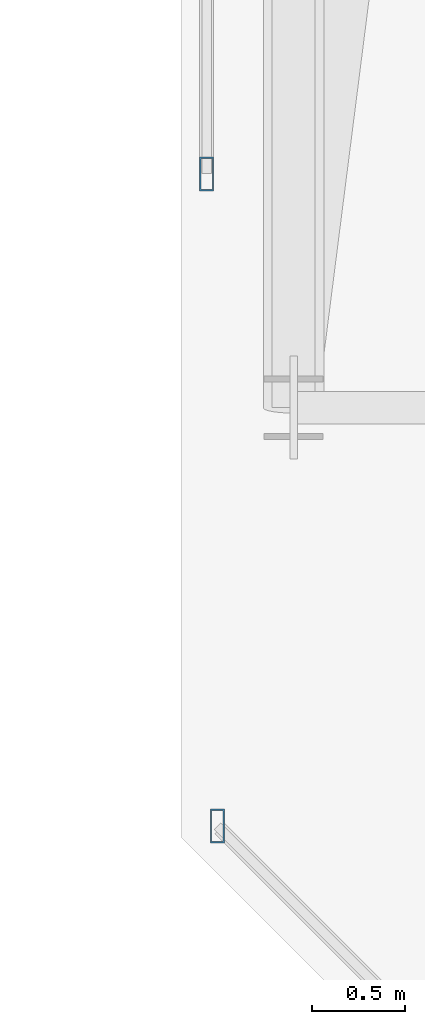
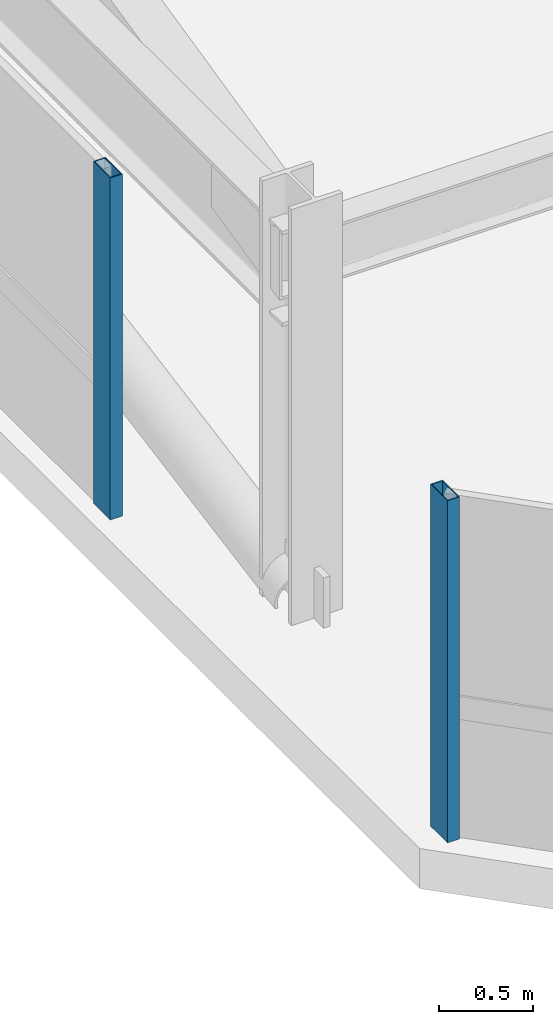
# One storey, part 17 of 42: 2 members, 2 elements without a shape of their own.
"""IFC4 building model written with IfcOpenShell, lengths in metres."""

from ifc_helpers import new_model, si_unit, direction, frame, origin, origin_2d, place, context, subcontext, project, spatial, hollow_rectangle, extrude, material, material_profile, profile_set, type_object, element, aggregate, save


model = new_model("IFC4")

# Units and contexts
model_context = context("Model", 3, precision=1e-05, world=origin(), true_north=direction((0.0, 1.0)))
body_context = subcontext(model_context, "Body", "Model", "MODEL_VIEW")
ifc_project = project(units=[si_unit("LENGTHUNIT", "METRE"), si_unit("AREAUNIT", "SQUARE_METRE"), si_unit("VOLUMEUNIT", "CUBIC_METRE"), si_unit("PLANEANGLEUNIT", "RADIAN"), si_unit("MASSUNIT", "GRAM", prefix="KILO")], contexts=[model_context])

# Site, building, storey
site_placement = place(None, origin())
site = spatial("IfcSite", under=ifc_project, at=site_placement, CompositionType="ELEMENT")
building_placement = place(site_placement, origin())
building = spatial("IfcBuilding", under=site, at=building_placement, Name="Thornwick Lancets Civic Towers", CompositionType="ELEMENT")
storey_placement = place(building_placement, frame((0.0, 0.0, 284.10009765625)))
storey = spatial("IfcBuildingStorey", under=building, at=storey_placement, Name="C02", CompositionType="ELEMENT", Elevation=284.10009765625)

# Curtain wall, member
ifc_material_1 = material(Name="Crown ring acoustic-louvre and glazing screen wall", Category="glass")
curtain_wall_type = type_object("IfcCurtainWallType", Name="CW_SYS_07", PredefinedType="NOTDEFINED", material=ifc_material_1)
curtain_wall_1_placement = place(storey_placement, origin())
curtain_wall_1 = element("IfcCurtainWall", 1, at=curtain_wall_1_placement, inside=storey, type_object=curtain_wall_type, Name="C02 Curtain Wall CW-C02-B-E6-S3", PredefinedType="NOTDEFINED")
ifc_material_2 = material(Name="Thermally broken bronze aluminium S355", Category="steel")
ifc_material_profile = material_profile(ifc_material_2, hollow_rectangle(XDim=0.074951171875, YDim=0.179931640625, WallThickness=0.006103515625, at=origin_2d()), Name="RHS 180x75x6")
ifc_profile_set = profile_set([ifc_material_profile], Name="Thermally broken bronze aluminium S355")
member_type = type_object("IfcMemberType", Name="CW_MUL_180", PredefinedType="MULLION", material=ifc_profile_set)
member_1_placement = place(storey_placement, frame((70.7353515625, 15.25, 0.0), z_axis=(0.0, 0.0, 1.0), x_axis=(1.0, 0.0, 0.0)))
member_1 = element("IfcMember", 2, at=member_1_placement, type_object=member_type, Name="CW-C02-B-E6-S3 Mullion 1", PredefinedType="MULLION", context=body_context, shape_type="SweptSolid", body=[
    extrude(hollow_rectangle(XDim=0.074951171875, YDim=0.179931640625, WallThickness=0.006103515625, at=origin_2d()), origin(), (0.0, 0.0, 1.0), 2.219970703125),
])
aggregate(curtain_wall_1, [member_1])

curtain_wall_2_placement = place(storey_placement, origin())
curtain_wall_2 = element("IfcCurtainWall", 3, at=curtain_wall_2_placement, inside=storey, type_object=curtain_wall_type, Name="C02 Curtain Wall CW-C02-B-E7", PredefinedType="NOTDEFINED")
member_2_placement = place(storey_placement, frame((70.7919921875, 11.761962890625, 0.0), z_axis=(0.0, 0.0, 1.0), x_axis=(1.0, 0.0, 0.0)))
member_2 = element("IfcMember", 4, at=member_2_placement, type_object=member_type, Name="CW-C02-B-E7 Mullion 0", PredefinedType="MULLION", context=body_context, shape_type="SweptSolid", body=[
    extrude(hollow_rectangle(XDim=0.074951171875, YDim=0.179931640625, WallThickness=0.006103515625, at=origin_2d()), origin(), (0.0, 0.0, 1.0), 2.219970703125),
])
aggregate(curtain_wall_2, [member_2])

save(model, "model.ifc")
